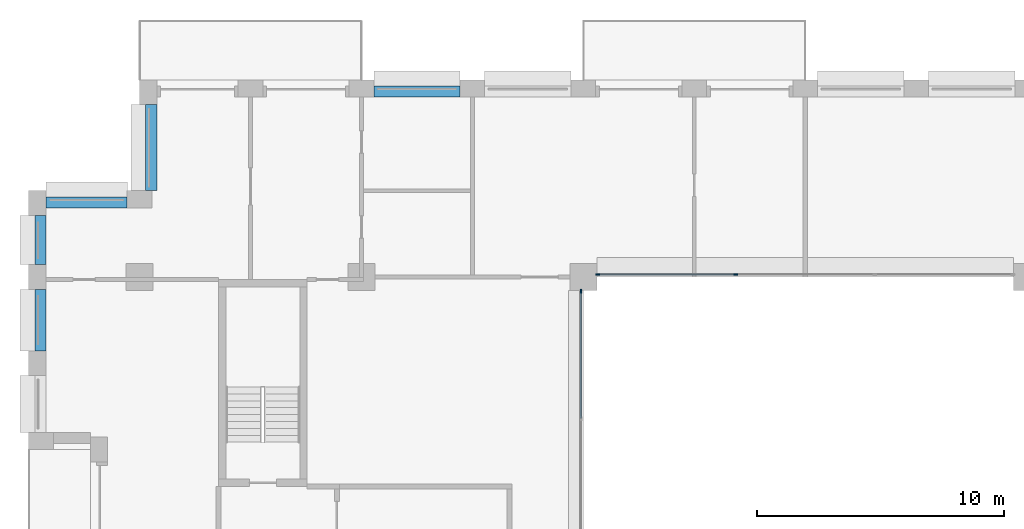
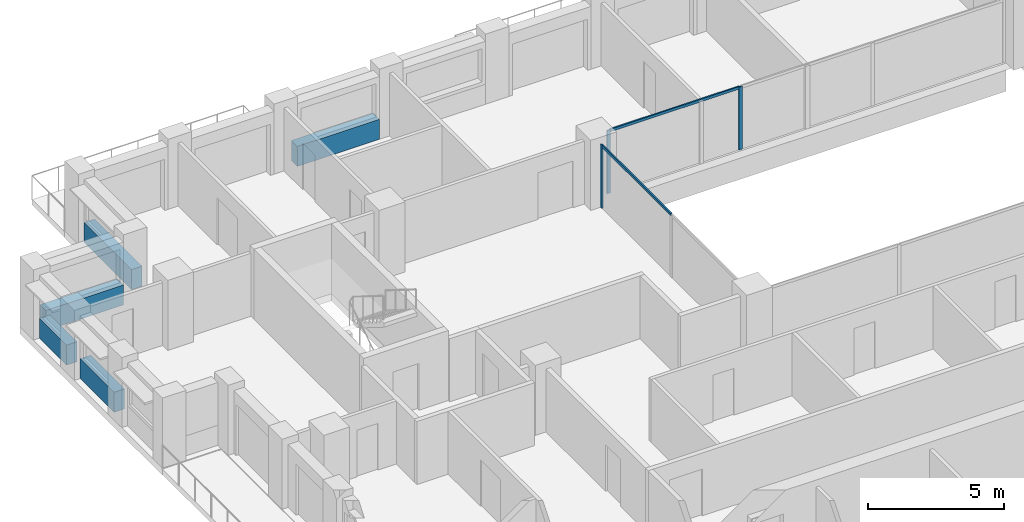
# One storey, part 5 of 15: 5 beams, 5 members, 2 elements without a shape of their own.
"""IFC4 building model written with IfcOpenShell, lengths in metres."""

from ifc_helpers import new_model, si_unit, direction, frame, origin, origin_2d, place, context, subcontext, project, spatial, rectangle, extrude, material, layer, layer_set, material_profile, profile_set, type_object, element, aggregate, save


model = new_model("IFC4")

# Units and contexts
model_context = context("Model", 3, precision=1e-05, world=origin(), true_north=direction((0.0, 1.0)))
body_context = subcontext(model_context, "Body", "Model", "MODEL_VIEW")
ifc_project = project(units=[si_unit("LENGTHUNIT", "METRE"), si_unit("AREAUNIT", "SQUARE_METRE"), si_unit("VOLUMEUNIT", "CUBIC_METRE"), si_unit("PLANEANGLEUNIT", "RADIAN"), si_unit("MASSUNIT", "GRAM", prefix="KILO")], contexts=[model_context])

# Site, building, storey
site_placement = place(None, origin())
site = spatial("IfcSite", under=ifc_project, at=site_placement, CompositionType="ELEMENT")
building_placement = place(site_placement, origin())
building = spatial("IfcBuilding", under=site, at=building_placement, Name="Brigalow Station Residences", CompositionType="ELEMENT")
storey_placement = place(building_placement, frame((0.0, 0.0, 144.449951171875)))
storey = spatial("IfcBuildingStorey", under=building, at=storey_placement, Name="L41", CompositionType="ELEMENT", Elevation=144.449951171875)

# Curtain wall, members
ifc_material_1 = material(Name="Aluminium", Category="aluminium")
ifc_layer = layer(ifc_material_1, 0.14990234375)
ifc_layer_set = layer_set([ifc_layer], Name="ATRIUM FIRE-RATED GLAZING CURTAIN WALL")
curtain_wall_type = type_object("IfcCurtainWallType", Name="ATRIUM FIRE-RATED GLAZING CURTAIN WALL", PredefinedType="NOTDEFINED", material=ifc_layer_set)
curtain_wall_1_placement = place(storey_placement, origin())
curtain_wall_1 = element("IfcCurtainWall", 1, at=curtain_wall_1_placement, inside=storey, type_object=curtain_wall_type, Name="L41/cw/atrium-N", PredefinedType="NOTDEFINED")
ifc_material_2 = material(Name="Aluminium", Category="aluminium")
ifc_material_profile_1 = material_profile(ifc_material_2, rectangle(XDim=0.06005859375, YDim=0.14990234375, at=origin_2d()), Name="ATRIUM FIRE-RATED GLAZING MULLION 60x150")
ifc_profile_set_1 = profile_set([ifc_material_profile_1], Name="Aluminium")
member_type_1 = type_object("IfcMemberType", Name="ATRIUM FIRE-RATED GLAZING MULLION 60x150", PredefinedType="MULLION", material=ifc_profile_set_1)
member_1_placement = place(storey_placement, frame((33.183349609375, 35.60009765625, 0.0), z_axis=(0.0, 0.0, 1.0), x_axis=(0.0, -1.0, 0.0)))
member_1 = element("IfcMember", 2, at=member_1_placement, type_object=member_type_1, Name="L41/cw/atrium-N/M02", PredefinedType="MULLION", context=body_context, shape_type="SweptSolid", body=[
    extrude(rectangle(XDim=0.06005859375, YDim=0.14990234375, at=origin_2d()), origin(), (0.0, 0.0, 1.0), 2.830078125),
])
member_2_placement = place(storey_placement, frame((27.580078125, 35.60009765625, 0.0), z_axis=(0.0, 0.0, 1.0), x_axis=(0.0, -1.0, 0.0)))
member_2 = element("IfcMember", 3, at=member_2_placement, type_object=member_type_1, Name="L41/cw/atrium-N/M03", PredefinedType="MULLION", context=body_context, shape_type="SweptSolid", body=[
    extrude(rectangle(XDim=0.06005859375, YDim=0.14990234375, at=origin_2d()), origin(), (0.0, 0.0, 1.0), 2.830078125),
])

# Curtain wall, member
curtain_wall_2_placement = place(storey_placement, origin())
curtain_wall_2 = element("IfcCurtainWall", 4, at=curtain_wall_2_placement, inside=storey, type_object=curtain_wall_type, Name="L41/cw/atrium-W", PredefinedType="NOTDEFINED")
member_3_placement = place(storey_placement, frame((26.89990234375, 34.919921875, 0.0), z_axis=(0.0, 0.0, 1.0), x_axis=(1.0, 0.0, 0.0)))
member_3 = element("IfcMember", 5, at=member_3_placement, type_object=member_type_1, Name="L41/cw/atrium-W/M00", PredefinedType="MULLION", context=body_context, shape_type="SweptSolid", body=[
    extrude(rectangle(XDim=0.06005859375, YDim=0.14990234375, at=origin_2d()), origin(), (0.0, 0.0, 1.0), 2.830078125),
])

# Member
ifc_material_3 = material(Name="Aluminium", Category="aluminium")
ifc_material_profile_2 = material_profile(ifc_material_3, rectangle(XDim=0.06005859375, YDim=0.1201171875, at=origin_2d()), Name="ATRIUM FIRE-RATED GLAZING TRANSOM 60x120")
ifc_profile_set_2 = profile_set([ifc_material_profile_2], Name="Aluminium")
member_type_2 = type_object("IfcMemberType", Name="ATRIUM FIRE-RATED GLAZING TRANSOM 60x120", PredefinedType="USERDEFINED", material=ifc_profile_set_2)
member_4_placement = place(storey_placement, frame((33.1533203125, 35.60009765625, 2.800048828125), z_axis=(-1.0, 0.0, 0.0), x_axis=(0.0, -1.0, 0.0)))
member_4 = element("IfcMember", 6, at=member_4_placement, type_object=member_type_2, Name="L41/cw/atrium-N/T02-00", ObjectType="TRANSOM", PredefinedType="USERDEFINED", context=body_context, shape_type="SweptSolid", body=[
    extrude(rectangle(XDim=0.06005859375, YDim=0.1201171875, at=origin_2d()), origin(), (0.0, 0.0, 1.0), 5.543212890625),
])

aggregate(curtain_wall_1, [member_1, member_2, member_4])

member_5_placement = place(storey_placement, frame((26.89990234375, 34.889892578125, 2.800048828125), z_axis=(0.0, -1.0, 0.0), x_axis=(1.0, 0.0, 0.0)))
member_5 = element("IfcMember", 7, at=member_5_placement, type_object=member_type_2, Name="L41/cw/atrium-W/T00-00", ObjectType="TRANSOM", PredefinedType="USERDEFINED", context=body_context, shape_type="SweptSolid", body=[
    extrude(rectangle(XDim=0.06005859375, YDim=0.1201171875, at=origin_2d()), origin(), (0.0, 0.0, 1.0), 5.10986328125),
])

aggregate(curtain_wall_2, [member_3, member_5])

# Beams
ifc_material_4 = material(Name="Concrete C50", Category="concrete")
ifc_material_profile_3 = material_profile(ifc_material_4, rectangle(XDim=0.449951171875, YDim=0.89990234375, at=origin_2d()), Name="RC450x900")
ifc_profile_set_3 = profile_set([ifc_material_profile_3], Name="Concrete C50")
beam_type = type_object("IfcBeamType", Name="SPANDREL BEAM 450x900 C50", PredefinedType="SPANDREL", material=ifc_profile_set_3)
for number, where, z_axis, x_axis, name in (
    (8, (22.0, 43.02490234375, 0.449951171875), (-1.0, 0.0, 0.0), (0.0, -1.0, 0.0), "L41/spandrel/W-L41-32"),
    (9, (9.47509765625, 42.5, 0.449951171875), (0.0, -1.0, 0.0), (1.0, 0.0, 0.0), "L41/spandrel/W-L41-35"),
):
    element("IfcBeam", number, at=place(storey_placement, frame(where, z_axis=z_axis, x_axis=x_axis)), inside=storey, type_object=beam_type, Name=name, PredefinedType="SPANDREL", context=body_context, shape_type="SweptSolid", body=[
        extrude(rectangle(XDim=0.449951171875, YDim=0.89990234375, at=origin_2d()), origin(), (0.0, 0.0, 1.0), 3.5),
    ])
beam_1_placement = place(storey_placement, frame((8.5, 38.52490234375, 0.449951171875), z_axis=(-1.0, 0.0, 0.0), x_axis=(0.0, -1.0, 0.0)))
element("IfcBeam", 10, at=beam_1_placement, inside=storey, type_object=beam_type, Name="L41/spandrel/W-L41-36", PredefinedType="SPANDREL", context=body_context, shape_type="SweptSolid", body=[
    extrude(rectangle(XDim=0.449951171875, YDim=0.89990234375, at=origin_2d()), origin(), (0.0, 0.0, 1.0), 3.300048828125),
])
beam_2_placement = place(storey_placement, frame((4.97509765625, 38.0, 0.449951171875), z_axis=(0.0, -1.0, 0.0), x_axis=(1.0, 0.0, 0.0)))
element("IfcBeam", 11, at=beam_2_placement, inside=storey, type_object=beam_type, Name="L41/spandrel/W-L41-37", PredefinedType="SPANDREL", context=body_context, shape_type="SweptSolid", body=[
    extrude(rectangle(XDim=0.449951171875, YDim=0.89990234375, at=origin_2d()), origin(), (0.0, 0.0, 1.0), 2.0),
])
beam_3_placement = place(storey_placement, frame((4.97509765625, 35.0, 0.449951171875), z_axis=(0.0, -1.0, 0.0), x_axis=(1.0, 0.0, 0.0)))
element("IfcBeam", 12, at=beam_3_placement, inside=storey, type_object=beam_type, Name="L41/spandrel/W-L41-38", PredefinedType="SPANDREL", context=body_context, shape_type="SweptSolid", body=[
    extrude(rectangle(XDim=0.449951171875, YDim=0.89990234375, at=origin_2d()), origin(), (0.0, 0.0, 1.0), 2.5),
])

save(model, "model.ifc")
